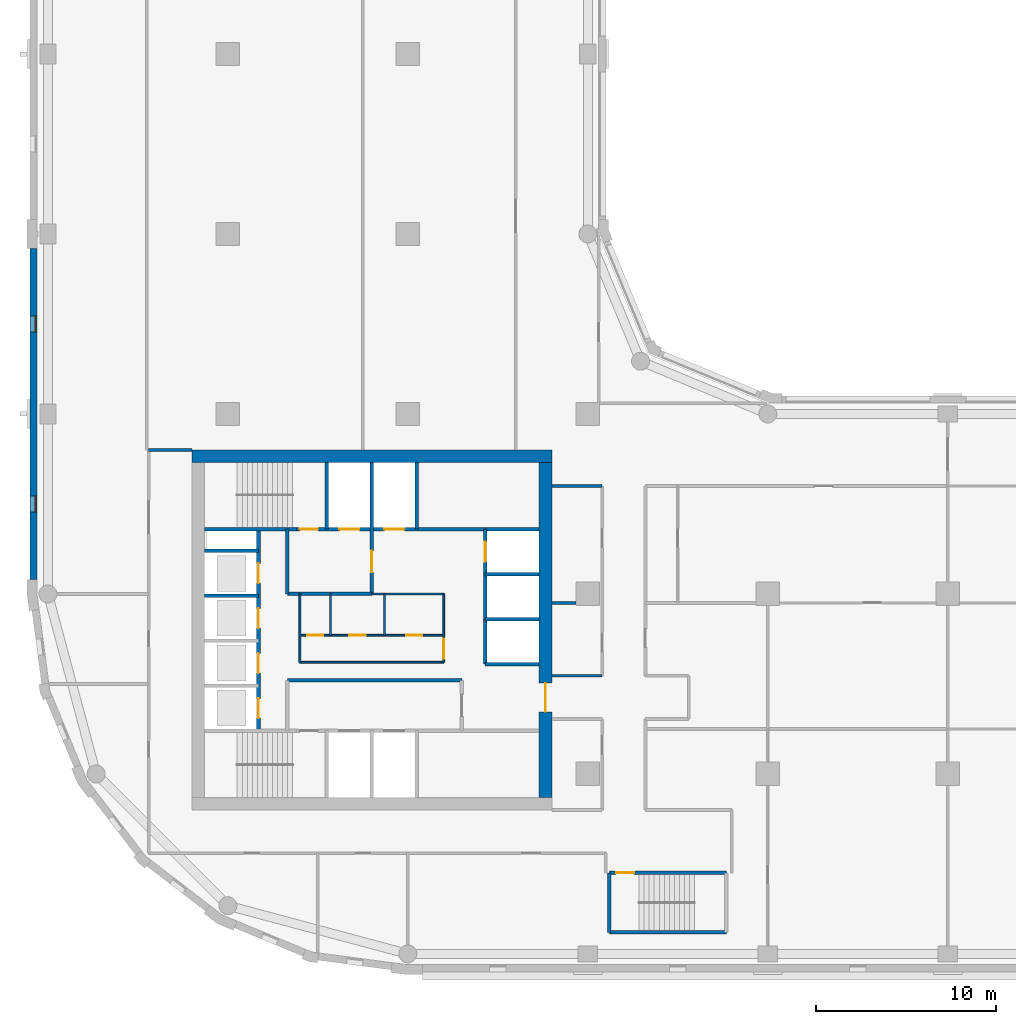
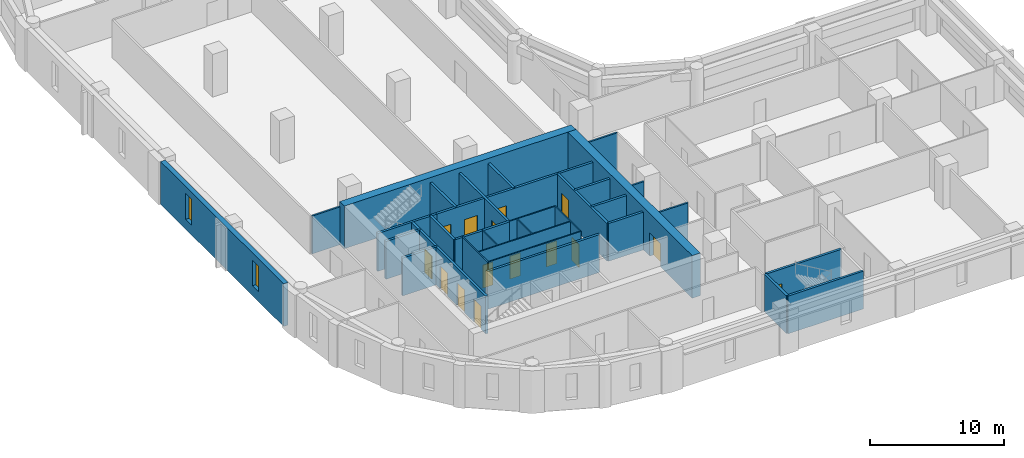
# One storey, part 3 of 9: 32 walls, 15 doors, 2 windows, 17 openings.
"""IFC4 building model written with IfcOpenShell, lengths in metres."""

from ifc_helpers import new_model, si_unit, direction, frame, frame_2d, origin, place, context, subcontext, project, spatial, rectangle, extrude, material, layer, layer_set, type_object, element, fill, save


model = new_model("IFC4")

# Units and contexts
model_context = context("Model", 3, precision=1e-05, world=origin(), true_north=direction((0.0, 1.0)))
body_context = subcontext(model_context, "Body", "Model", "MODEL_VIEW")
ifc_project = project(units=[si_unit("LENGTHUNIT", "METRE"), si_unit("AREAUNIT", "SQUARE_METRE"), si_unit("VOLUMEUNIT", "CUBIC_METRE"), si_unit("PLANEANGLEUNIT", "RADIAN"), si_unit("MASSUNIT", "GRAM", prefix="KILO")], contexts=[model_context])

# Site, building, storey
site_placement = place(None, origin())
site = spatial("IfcSite", under=ifc_project, at=site_placement, CompositionType="ELEMENT")
building_placement = place(site_placement, origin())
building = spatial("IfcBuilding", under=site, at=building_placement, Name="Qaws Garden Tower", CompositionType="ELEMENT")
storey_placement = place(building_placement, frame((0.0, 0.0, 233.10009765625)))
storey = spatial("IfcBuildingStorey", under=building, at=storey_placement, Name="L57", CompositionType="ELEMENT", Elevation=233.10009765625)

# Wall, openings, windows
ifc_material_1 = material(Name="Buff clay facing brick masonry", Category="masonry")
ifc_layer_1 = layer(ifc_material_1, 0.39990234375)
ifc_layer_set_1 = layer_set([ifc_layer_1], Name="Buff clay facing brick masonry")
wall_type_1 = type_object("IfcWallType", Name="Buff brick infill wall 400", PredefinedType="SOLIDWALL", material=ifc_layer_set_1)
wall_1_placement = place(storey_placement, frame((-0.800048828125, 39.199951171875, 0.0), z_axis=(0.0, 0.0, 1.0), x_axis=(0.0, -1.0, 0.0)))
wall_1 = element("IfcWall", 1, at=wall_1_placement, inside=storey, type_object=wall_type_1, Name="E-L57-infill-23", PredefinedType="SOLIDWALL", context=body_context, shape_type="SweptSolid", body=[
    extrude(rectangle(XDim=18.39990234375, YDim=0.39990234375, at=frame_2d((9.199951171875, 0.0))), origin(), (0.0, 0.0, 1.0), 3.89990234375),
])
opening_1_placement = place(wall_1_placement, frame((3.75, 0.0, 0.89990234375)))
opening_1 = element("IfcOpeningElement", 2, at=opening_1_placement, cuts=wall_1, Name="Opening W09", PredefinedType="OPENING", context=body_context, shape_type="SweptSolid", body=[
    extrude(rectangle(XDim=0.89990234375, YDim=2.35009765625, at=frame_2d((0.449951171875, 1.175048828125))), frame((0.0, 0.2099609375, 0.0), z_axis=(0.0, -1.0, 0.0), x_axis=(1.0, 0.0, 0.0)), (0.0, 0.0, 1.0), 0.419921875),
])
opening_2_placement = place(wall_1_placement, frame((13.75, 0.0, 0.89990234375)))
opening_2 = element("IfcOpeningElement", 3, at=opening_2_placement, cuts=wall_1, Name="Opening W09", PredefinedType="OPENING", context=body_context, shape_type="SweptSolid", body=[
    extrude(rectangle(XDim=0.89990234375, YDim=2.35009765625, at=frame_2d((0.449951171875, 1.175048828125))), frame((0.0, 0.2099609375, 0.0), z_axis=(0.0, -1.0, 0.0), x_axis=(1.0, 0.0, 0.0)), (0.0, 0.0, 1.0), 0.419921875),
])
ifc_material_2 = material(Name="Aluminium framed window, clear glazing", Category="aluminium")
window_type = type_object("IfcWindowType", Name="Slit window 900 x 2350", PartitioningType="SINGLE_PANEL", PredefinedType="WINDOW", material=ifc_material_2)
window_1_placement = place(opening_1_placement, origin())
window_1 = element("IfcWindow", 4, at=window_1_placement, inside=storey, type_object=window_type, Name="E-L57-window-23-0", OverallHeight=2.35009765625, OverallWidth=0.89990234375, PartitioningType="SINGLE_PANEL", PredefinedType="WINDOW", context=body_context, shape_type="SweptSolid", body=[
    extrude(rectangle(XDim=0.89990234375, YDim=2.35009765625, at=frame_2d((0.449951171875, 1.175048828125))), frame((0.0, 0.159912109375, 0.0), z_axis=(0.0, -1.0, 0.0), x_axis=(1.0, 0.0, 0.0)), (0.0, 0.0, 1.0), 0.06005859375),
])
fill(opening_1, window_1)
window_2_placement = place(opening_2_placement, origin())
window_2 = element("IfcWindow", 5, at=window_2_placement, inside=storey, type_object=window_type, Name="E-L57-window-24-0", OverallHeight=2.35009765625, OverallWidth=0.89990234375, PartitioningType="SINGLE_PANEL", PredefinedType="WINDOW", context=body_context, shape_type="SweptSolid", body=[
    extrude(rectangle(XDim=0.89990234375, YDim=2.35009765625, at=frame_2d((0.449951171875, 1.175048828125))), frame((0.0, 0.159912109375, 0.0), z_axis=(0.0, -1.0, 0.0), x_axis=(1.0, 0.0, 0.0)), (0.0, 0.0, 1.0), 0.06005859375),
])
fill(opening_2, window_2)

# Wall
ifc_material_3 = material(Name="Plasterboard")
ifc_layer_2 = layer(ifc_material_3, 0.10009765625)
ifc_layer_set_2 = layer_set([ifc_layer_2], Name="Plasterboard")
wall_type_2 = type_object("IfcWallType", Name="Core partition 100", PredefinedType="PARTITIONING", material=ifc_layer_set_2)
wall_2_placement = place(storey_placement, frame((14.0, 16.199951171875, 0.0), z_axis=(0.0, 0.0, 1.0), x_axis=(1.0, 0.0, 0.0)))
element("IfcWall", 6, at=wall_2_placement, inside=storey, type_object=wall_type_2, Name="Core partition", PredefinedType="PARTITIONING", context=body_context, shape_type="SweptSolid", body=[
    extrude(rectangle(XDim=8.0, YDim=0.10009765625, at=frame_2d((4.0, 0.0))), origin(), (0.0, 0.0, 1.0), 3.449951171875),
])

# Wall, openings, doors
wall_3_placement = place(storey_placement, frame((14.0, 17.699951171875, 0.0), z_axis=(0.0, 0.0, 1.0), x_axis=(1.0, 0.0, 0.0)))
wall_3 = element("IfcWall", 7, at=wall_3_placement, inside=storey, type_object=wall_type_2, Name="Core partition", PredefinedType="PARTITIONING", context=body_context, shape_type="SweptSolid", body=[
    extrude(rectangle(XDim=8.0, YDim=0.10009765625, at=frame_2d((4.0, 0.0))), origin(), (0.0, 0.0, 1.0), 3.449951171875),
])
opening_3_placement = place(wall_3_placement, frame((0.39990234375, 0.0, 0.0)))
opening_3 = element("IfcOpeningElement", 8, at=opening_3_placement, cuts=wall_3, Name="Opening WD18", PredefinedType="OPENING", context=body_context, shape_type="SweptSolid", body=[
    extrude(rectangle(XDim=0.89990234375, YDim=2.10009765625, at=frame_2d((0.449951171875, 1.050048828125))), frame((0.0, 0.06005859375, 0.0), z_axis=(0.0, -1.0, 0.0), x_axis=(1.0, 0.0, 0.0)), (0.0, 0.0, 1.0), 0.1201171875),
])
opening_4_placement = place(wall_3_placement, frame((2.75, 0.0, 0.0)))
opening_4 = element("IfcOpeningElement", 9, at=opening_4_placement, cuts=wall_3, Name="Opening WD19", PredefinedType="OPENING", context=body_context, shape_type="SweptSolid", body=[
    extrude(rectangle(XDim=0.89990234375, YDim=2.10009765625, at=frame_2d((0.449951171875, 1.050048828125))), frame((0.0, 0.06005859375, 0.0), z_axis=(0.0, -1.0, 0.0), x_axis=(1.0, 0.0, 0.0)), (0.0, 0.0, 1.0), 0.1201171875),
])
opening_5_placement = place(wall_3_placement, frame((5.89990234375, 0.0, 0.0)))
opening_5 = element("IfcOpeningElement", 10, at=opening_5_placement, cuts=wall_3, Name="Opening WD20", PredefinedType="OPENING", context=body_context, shape_type="SweptSolid", body=[
    extrude(rectangle(XDim=0.89990234375, YDim=2.10009765625, at=frame_2d((0.449951171875, 1.050048828125))), frame((0.0, 0.06005859375, 0.0), z_axis=(0.0, -1.0, 0.0), x_axis=(1.0, 0.0, 0.0)), (0.0, 0.0, 1.0), 0.1201171875),
])
ifc_material_4 = material(Name="Timber", Category="wood")
door_type_1 = type_object("IfcDoorType", Name="WC door 900x2100", OperationType="SINGLE_SWING_LEFT", PredefinedType="DOOR", material=ifc_material_4)
door_1_placement = place(opening_3_placement, origin())
door_1 = element("IfcDoor", 11, at=door_1_placement, inside=storey, type_object=door_type_1, Name="Accessible WC door", OperationType="SINGLE_SWING_RIGHT", OverallHeight=2.10009765625, OverallWidth=0.89990234375, PredefinedType="DOOR", context=body_context, shape_type="SweptSolid", body=[
    extrude(rectangle(XDim=0.89990234375, YDim=2.10009765625, at=frame_2d((0.449951171875, 1.050048828125))), frame((0.0, 0.02490234375, 0.0), z_axis=(0.0, -1.0, 0.0), x_axis=(1.0, 0.0, 0.0)), (0.0, 0.0, 1.0), 0.050048828125),
])
fill(opening_3, door_1)
door_2_placement = place(opening_4_placement, origin())
door_2 = element("IfcDoor", 12, at=door_2_placement, inside=storey, type_object=door_type_1, Name="Men's WC door", OperationType="SINGLE_SWING_RIGHT", OverallHeight=2.10009765625, OverallWidth=0.89990234375, PredefinedType="DOOR", context=body_context, shape_type="SweptSolid", body=[
    extrude(rectangle(XDim=0.89990234375, YDim=2.10009765625, at=frame_2d((0.449951171875, 1.050048828125))), frame((0.0, 0.02490234375, 0.0), z_axis=(0.0, -1.0, 0.0), x_axis=(1.0, 0.0, 0.0)), (0.0, 0.0, 1.0), 0.050048828125),
])
fill(opening_4, door_2)
door_3_placement = place(opening_5_placement, origin())
door_3 = element("IfcDoor", 13, at=door_3_placement, inside=storey, type_object=door_type_1, Name="Women's WC door", OperationType="SINGLE_SWING_RIGHT", OverallHeight=2.10009765625, OverallWidth=0.89990234375, PredefinedType="DOOR", context=body_context, shape_type="SweptSolid", body=[
    extrude(rectangle(XDim=0.89990234375, YDim=2.10009765625, at=frame_2d((0.449951171875, 1.050048828125))), frame((0.0, 0.02490234375, 0.0), z_axis=(0.0, -1.0, 0.0), x_axis=(1.0, 0.0, 0.0)), (0.0, 0.0, 1.0), 0.050048828125),
])
fill(opening_5, door_3)

# Walls
wall_4_placement = place(storey_placement, frame((18.0, 20.0, 0.0), z_axis=(0.0, 0.0, 1.0), x_axis=(1.0, 0.0, 0.0)))
element("IfcWall", 14, at=wall_4_placement, inside=storey, type_object=wall_type_2, Name="Core partition", PredefinedType="PARTITIONING", context=body_context, shape_type="SweptSolid", body=[
    extrude(rectangle(XDim=4.0, YDim=0.10009765625, at=frame_2d((2.0, 0.0))), origin(), (0.0, 0.0, 1.0), 3.449951171875),
])
wall_5_placement = place(storey_placement, frame((14.0, 16.199951171875, 0.0), z_axis=(0.0, 0.0, 1.0), x_axis=(0.0, 1.0, 0.0)))
element("IfcWall", 15, at=wall_5_placement, inside=storey, type_object=wall_type_2, Name="Core partition", PredefinedType="PARTITIONING", context=body_context, shape_type="SweptSolid", body=[
    extrude(rectangle(XDim=3.800048828125, YDim=0.10009765625, at=frame_2d((1.89990234375, 0.0))), origin(), (0.0, 0.0, 1.0), 3.449951171875),
])
for number, where, z_axis, x_axis, name in (
    (16, (15.699951171875, 17.699951171875, 0.0), (0.0, 0.0, 1.0), (0.0, 1.0, 0.0), "Core partition"),
    (17, (18.699951171875, 17.699951171875, 0.0), (0.0, 0.0, 1.0), (0.0, 1.0, 0.0), "Core partition"),
):
    element("IfcWall", number, at=place(storey_placement, frame(where, z_axis=z_axis, x_axis=x_axis)), inside=storey, type_object=wall_type_2, Name=name, PredefinedType="PARTITIONING", context=body_context, shape_type="SweptSolid", body=[
        extrude(rectangle(XDim=2.300048828125, YDim=0.10009765625, at=frame_2d((1.14990234375, 0.0))), origin(), (0.0, 0.0, 1.0), 3.449951171875),
    ])

# Wall, opening, door
wall_6_placement = place(storey_placement, frame((22.0, 16.199951171875, 0.0), z_axis=(0.0, 0.0, 1.0), x_axis=(0.0, 1.0, 0.0)))
wall_6 = element("IfcWall", 18, at=wall_6_placement, inside=storey, type_object=wall_type_2, Name="Core partition", PredefinedType="PARTITIONING", context=body_context, shape_type="SweptSolid", body=[
    extrude(rectangle(XDim=3.800048828125, YDim=0.10009765625, at=frame_2d((1.89990234375, 0.0))), origin(), (0.0, 0.0, 1.0), 3.449951171875),
])
opening_6_placement = place(wall_6_placement, frame((0.199951171875, 0.0, 0.0)))
opening_6 = element("IfcOpeningElement", 19, at=opening_6_placement, cuts=wall_6, Name="Opening WL17", PredefinedType="OPENING", context=body_context, shape_type="SweptSolid", body=[
    extrude(rectangle(XDim=1.10009765625, YDim=2.10009765625, at=frame_2d((0.550048828125, 1.050048828125))), frame((0.0, 0.06005859375, 0.0), z_axis=(0.0, -1.0, 0.0), x_axis=(1.0, 0.0, 0.0)), (0.0, 0.0, 1.0), 0.1201171875),
])
ifc_material_5 = material(Name="Timber", Category="wood")
door_type_2 = type_object("IfcDoorType", Name="WC lobby door 1100x2100", OperationType="SINGLE_SWING_LEFT", PredefinedType="DOOR", material=ifc_material_5)
door_4_placement = place(opening_6_placement, origin())
door_4 = element("IfcDoor", 20, at=door_4_placement, inside=storey, type_object=door_type_2, Name="WC lobby door", OperationType="SINGLE_SWING_RIGHT", OverallHeight=2.10009765625, OverallWidth=1.10009765625, PredefinedType="DOOR", context=body_context, shape_type="SweptSolid", body=[
    extrude(rectangle(XDim=1.10009765625, YDim=2.10009765625, at=frame_2d((0.550048828125, 1.050048828125))), frame((0.0, 0.02490234375, 0.0), z_axis=(0.0, -1.0, 0.0), x_axis=(1.0, 0.0, 0.0)), (0.0, 0.0, 1.0), 0.050048828125),
])
fill(opening_6, door_4)

# Wall
ifc_material_6 = material(Name="Concrete C70", Category="concrete")
ifc_layer_3 = layer(ifc_material_6, 0.199951171875)
ifc_layer_set_3 = layer_set([ifc_layer_3], Name="Concrete C70")
wall_type_3 = type_object("IfcWallType", Name="Core shaft wall 200 C70", PredefinedType="SHEAR", material=ifc_layer_set_3)
wall_7_placement = place(storey_placement, frame((31.199951171875, 1.199951171875, 0.0), z_axis=(0.0, 0.0, 1.0), x_axis=(1.0, 0.0, 0.0)))
element("IfcWall", 21, at=wall_7_placement, inside=storey, type_object=wall_type_3, Name="Shaft wall", PredefinedType="SHEAR", context=body_context, shape_type="SweptSolid", body=[
    extrude(rectangle(XDim=6.5, YDim=0.199951171875, at=frame_2d((3.25, 0.0))), origin(), (0.0, 0.0, 1.0), 3.449951171875),
])

# Wall, opening, door
wall_8_placement = place(storey_placement, frame((31.199951171875, 4.5, 0.0), z_axis=(0.0, 0.0, 1.0), x_axis=(1.0, 0.0, 0.0)))
wall_8 = element("IfcWall", 22, at=wall_8_placement, inside=storey, type_object=wall_type_3, Name="Shaft wall", PredefinedType="SHEAR", context=body_context, shape_type="SweptSolid", body=[
    extrude(rectangle(XDim=6.5, YDim=0.199951171875, at=frame_2d((3.25, 0.0))), origin(), (0.0, 0.0, 1.0), 3.449951171875),
])
opening_7_placement = place(wall_8_placement, frame((0.375, 0.0, 0.0)))
opening_7 = element("IfcOpeningElement", 23, at=opening_7_placement, cuts=wall_8, Name="Opening SD12", PredefinedType="OPENING", context=body_context, shape_type="SweptSolid", body=[
    extrude(rectangle(XDim=1.0, YDim=2.10009765625, at=frame_2d((0.5, 1.050048828125))), frame((0.0, 0.10986328125, 0.0), z_axis=(0.0, -1.0, 0.0), x_axis=(1.0, 0.0, 0.0)), (0.0, 0.0, 1.0), 0.219970703125),
])
ifc_material_7 = material(Name="Steel S235", Category="steel")
door_type_3 = type_object("IfcDoorType", Name="Stair door 1000x2100", OperationType="SINGLE_SWING_RIGHT", PredefinedType="DOOR", material=ifc_material_7)
door_5_placement = place(opening_7_placement, frame((1.0, 0.0, 0.0), z_axis=(0.0, 0.0, 1.0), x_axis=(-1.0, 0.0, 0.0)))
door_5 = element("IfcDoor", 24, at=door_5_placement, inside=storey, type_object=door_type_3, Name="Stair 5 door", OperationType="SINGLE_SWING_RIGHT", OverallHeight=2.10009765625, OverallWidth=1.0, PredefinedType="DOOR", context=body_context, shape_type="SweptSolid", body=[
    extrude(rectangle(XDim=1.0, YDim=2.10009765625, at=frame_2d((0.5, 1.050048828125))), frame((0.0, 0.02490234375, 0.0), z_axis=(0.0, -1.0, 0.0), x_axis=(1.0, 0.0, 0.0)), (0.0, 0.0, 1.0), 0.050048828125),
])
fill(opening_7, door_5)

# Walls
wall_9_placement = place(storey_placement, frame((13.300048828125, 15.199951171875, 0.0), z_axis=(0.0, 0.0, 1.0), x_axis=(1.0, 0.0, 0.0)))
element("IfcWall", 25, at=wall_9_placement, inside=storey, type_object=wall_type_3, Name="Shaft wall", PredefinedType="SHEAR", context=body_context, shape_type="SweptSolid", body=[
    extrude(rectangle(XDim=9.699951171875, YDim=0.199951171875, at=frame_2d((4.85009765625, 0.0))), origin(), (0.0, 0.0, 1.0), 3.449951171875),
])
for number, where, z_axis, x_axis, name in (
    (26, (24.300048828125, 16.10009765625, 0.0), (0.0, 0.0, 1.0), (1.0, 0.0, 0.0), "Shaft wall"),
    (27, (24.300048828125, 18.60009765625, 0.0), (0.0, 0.0, 1.0), (1.0, 0.0, 0.0), "Shaft wall"),
    (28, (8.699951171875, 19.89990234375, 0.0), (0.0, 0.0, 1.0), (1.0, 0.0, 0.0), "Shaft wall"),
):
    element("IfcWall", number, at=place(storey_placement, frame(where, z_axis=z_axis, x_axis=x_axis)), inside=storey, type_object=wall_type_3, Name=name, PredefinedType="SHEAR", context=body_context, shape_type="SweptSolid", body=[
        extrude(rectangle(XDim=3.0, YDim=0.199951171875, at=frame_2d((1.5, 0.0))), origin(), (0.0, 0.0, 1.0), 3.449951171875),
    ])
wall_10_placement = place(storey_placement, frame((13.300048828125, 20.0, 0.0), z_axis=(0.0, 0.0, 1.0), x_axis=(1.0, 0.0, 0.0)))
element("IfcWall", 29, at=wall_10_placement, inside=storey, type_object=wall_type_3, Name="Shaft wall", PredefinedType="SHEAR", context=body_context, shape_type="SweptSolid", body=[
    extrude(rectangle(XDim=4.699951171875, YDim=0.199951171875, at=frame_2d((2.35009765625, 0.0))), origin(), (0.0, 0.0, 1.0), 3.449951171875),
])
for number, where, z_axis, x_axis, name in (
    (30, (24.300048828125, 21.10009765625, 0.0), (0.0, 0.0, 1.0), (1.0, 0.0, 0.0), "Shaft wall"),
    (31, (8.699951171875, 22.39990234375, 0.0), (0.0, 0.0, 1.0), (1.0, 0.0, 0.0), "Shaft wall"),
):
    element("IfcWall", number, at=place(storey_placement, frame(where, z_axis=z_axis, x_axis=x_axis)), inside=storey, type_object=wall_type_3, Name=name, PredefinedType="SHEAR", context=body_context, shape_type="SweptSolid", body=[
        extrude(rectangle(XDim=3.0, YDim=0.199951171875, at=frame_2d((1.5, 0.0))), origin(), (0.0, 0.0, 1.0), 3.449951171875),
    ])
wall_11_placement = place(storey_placement, frame((8.699951171875, 23.60009765625, 0.0), z_axis=(0.0, 0.0, 1.0), x_axis=(1.0, 0.0, 0.0)))
element("IfcWall", 32, at=wall_11_placement, inside=storey, type_object=wall_type_3, Name="Shaft wall", PredefinedType="SHEAR", context=body_context, shape_type="SweptSolid", body=[
    extrude(rectangle(XDim=5.10009765625, YDim=0.199951171875, at=frame_2d((2.550048828125, 0.0))), origin(), (0.0, 0.0, 1.0), 3.449951171875),
])

# Wall, openings, doors
wall_12_placement = place(storey_placement, frame((13.800048828125, 23.60009765625, 0.0), z_axis=(0.0, 0.0, 1.0), x_axis=(1.0, 0.0, 0.0)))
wall_12 = element("IfcWall", 33, at=wall_12_placement, inside=storey, type_object=wall_type_3, Name="Shaft wall", PredefinedType="SHEAR", context=body_context, shape_type="SweptSolid", body=[
    extrude(rectangle(XDim=13.5, YDim=0.199951171875, at=frame_2d((6.75, 0.0))), origin(), (0.0, 0.0, 1.0), 3.449951171875),
])
opening_8_placement = place(wall_12_placement, frame((2.39990234375, 0.0, 0.0)))
opening_8 = element("IfcOpeningElement", 34, at=opening_8_placement, cuts=wall_12, Name="Opening LD08", PredefinedType="OPENING", context=body_context, shape_type="SweptSolid", body=[
    extrude(rectangle(XDim=1.10009765625, YDim=2.10009765625, at=frame_2d((0.550048828125, 1.050048828125))), frame((0.0, 0.10986328125, 0.0), z_axis=(0.0, -1.0, 0.0), x_axis=(1.0, 0.0, 0.0)), (0.0, 0.0, 1.0), 0.219970703125),
])
opening_9_placement = place(wall_12_placement, frame((4.89990234375, 0.0, 0.0)))
opening_9 = element("IfcOpeningElement", 35, at=opening_9_placement, cuts=wall_12, Name="Opening LD09", PredefinedType="OPENING", context=body_context, shape_type="SweptSolid", body=[
    extrude(rectangle(XDim=1.10009765625, YDim=2.10009765625, at=frame_2d((0.550048828125, 1.050048828125))), frame((0.0, 0.10986328125, 0.0), z_axis=(0.0, -1.0, 0.0), x_axis=(1.0, 0.0, 0.0)), (0.0, 0.0, 1.0), 0.219970703125),
])
opening_10_placement = place(wall_12_placement, frame((0.199951171875, 0.0, 0.0)))
opening_10 = element("IfcOpeningElement", 36, at=opening_10_placement, cuts=wall_12, Name="Opening SD11", PredefinedType="OPENING", context=body_context, shape_type="SweptSolid", body=[
    extrude(rectangle(XDim=1.0, YDim=2.10009765625, at=frame_2d((0.5, 1.050048828125))), frame((0.0, 0.10986328125, 0.0), z_axis=(0.0, -1.0, 0.0), x_axis=(1.0, 0.0, 0.0)), (0.0, 0.0, 1.0), 0.219970703125),
])
ifc_material_8 = material(Name="Steel S235", Category="steel")
door_type_4 = type_object("IfcDoorType", Name="Landing door 1100x2100", OperationType="DOUBLE_DOOR_SLIDING", PredefinedType="DOOR", material=ifc_material_8)
door_6_placement = place(opening_8_placement, origin())
door_6 = element("IfcDoor", 37, at=door_6_placement, inside=storey, type_object=door_type_4, Name="Lift FF3 landing door", OperationType="DOUBLE_DOOR_SLIDING", OverallHeight=2.10009765625, OverallWidth=1.10009765625, PredefinedType="DOOR", context=body_context, shape_type="SweptSolid", body=[
    extrude(rectangle(XDim=1.10009765625, YDim=2.10009765625, at=frame_2d((0.550048828125, 1.050048828125))), frame((0.0, 0.02490234375, 0.0), z_axis=(0.0, -1.0, 0.0), x_axis=(1.0, 0.0, 0.0)), (0.0, 0.0, 1.0), 0.050048828125),
])
fill(opening_8, door_6)
door_7_placement = place(opening_9_placement, origin())
door_7 = element("IfcDoor", 38, at=door_7_placement, inside=storey, type_object=door_type_4, Name="Lift SV2 landing door", OperationType="DOUBLE_DOOR_SLIDING", OverallHeight=2.10009765625, OverallWidth=1.10009765625, PredefinedType="DOOR", context=body_context, shape_type="SweptSolid", body=[
    extrude(rectangle(XDim=1.10009765625, YDim=2.10009765625, at=frame_2d((0.550048828125, 1.050048828125))), frame((0.0, 0.02490234375, 0.0), z_axis=(0.0, -1.0, 0.0), x_axis=(1.0, 0.0, 0.0)), (0.0, 0.0, 1.0), 0.050048828125),
])
fill(opening_9, door_7)
door_8_placement = place(opening_10_placement, origin())
door_8 = element("IfcDoor", 39, at=door_8_placement, inside=storey, type_object=door_type_3, Name="Stair 4 door", OperationType="SINGLE_SWING_RIGHT", OverallHeight=2.10009765625, OverallWidth=1.0, PredefinedType="DOOR", context=body_context, shape_type="SweptSolid", body=[
    extrude(rectangle(XDim=1.0, YDim=2.10009765625, at=frame_2d((0.5, 1.050048828125))), frame((0.0, 0.02490234375, 0.0), z_axis=(0.0, -1.0, 0.0), x_axis=(1.0, 0.0, 0.0)), (0.0, 0.0, 1.0), 0.050048828125),
])
fill(opening_10, door_8)

wall_13_placement = place(storey_placement, frame((11.699951171875, 12.39990234375, 0.0), z_axis=(0.0, 0.0, 1.0), x_axis=(0.0, 1.0, 0.0)))
wall_13 = element("IfcWall", 40, at=wall_13_placement, inside=storey, type_object=wall_type_3, Name="Shaft wall", PredefinedType="SHEAR", context=body_context, shape_type="SweptSolid", body=[
    extrude(rectangle(XDim=11.2001953125, YDim=0.199951171875, at=frame_2d((5.60009765625, 0.0))), origin(), (0.0, 0.0, 1.0), 3.449951171875),
])
opening_11_placement = place(wall_13_placement, frame((0.699951171875, 0.0, 0.0)))
opening_11 = element("IfcOpeningElement", 41, at=opening_11_placement, cuts=wall_13, Name="Opening LD01", PredefinedType="OPENING", context=body_context, shape_type="SweptSolid", body=[
    extrude(rectangle(XDim=1.10009765625, YDim=2.10009765625, at=frame_2d((0.550048828125, 1.050048828125))), frame((0.0, 0.10986328125, 0.0), z_axis=(0.0, -1.0, 0.0), x_axis=(1.0, 0.0, 0.0)), (0.0, 0.0, 1.0), 0.219970703125),
])
opening_12_placement = place(wall_13_placement, frame((3.199951171875, 0.0, 0.0)))
opening_12 = element("IfcOpeningElement", 42, at=opening_12_placement, cuts=wall_13, Name="Opening LD02", PredefinedType="OPENING", context=body_context, shape_type="SweptSolid", body=[
    extrude(rectangle(XDim=1.10009765625, YDim=2.10009765625, at=frame_2d((0.550048828125, 1.050048828125))), frame((0.0, 0.10986328125, 0.0), z_axis=(0.0, -1.0, 0.0), x_axis=(1.0, 0.0, 0.0)), (0.0, 0.0, 1.0), 0.219970703125),
])
opening_13_placement = place(wall_13_placement, frame((5.699951171875, 0.0, 0.0)))
opening_13 = element("IfcOpeningElement", 43, at=opening_13_placement, cuts=wall_13, Name="Opening LD03", PredefinedType="OPENING", context=body_context, shape_type="SweptSolid", body=[
    extrude(rectangle(XDim=1.10009765625, YDim=2.10009765625, at=frame_2d((0.550048828125, 1.050048828125))), frame((0.0, 0.10986328125, 0.0), z_axis=(0.0, -1.0, 0.0), x_axis=(1.0, 0.0, 0.0)), (0.0, 0.0, 1.0), 0.219970703125),
])
opening_14_placement = place(wall_13_placement, frame((8.199951171875, 0.0, 0.0)))
opening_14 = element("IfcOpeningElement", 44, at=opening_14_placement, cuts=wall_13, Name="Opening LD04", PredefinedType="OPENING", context=body_context, shape_type="SweptSolid", body=[
    extrude(rectangle(XDim=1.10009765625, YDim=2.10009765625, at=frame_2d((0.550048828125, 1.050048828125))), frame((0.0, 0.10986328125, 0.0), z_axis=(0.0, -1.0, 0.0), x_axis=(1.0, 0.0, 0.0)), (0.0, 0.0, 1.0), 0.219970703125),
])
door_9_placement = place(opening_11_placement, origin())
door_9 = element("IfcDoor", 45, at=door_9_placement, inside=storey, type_object=door_type_4, Name="Lift W1 landing door", OperationType="DOUBLE_DOOR_SLIDING", OverallHeight=2.10009765625, OverallWidth=1.10009765625, PredefinedType="DOOR", context=body_context, shape_type="SweptSolid", body=[
    extrude(rectangle(XDim=1.10009765625, YDim=2.10009765625, at=frame_2d((0.550048828125, 1.050048828125))), frame((0.0, 0.02490234375, 0.0), z_axis=(0.0, -1.0, 0.0), x_axis=(1.0, 0.0, 0.0)), (0.0, 0.0, 1.0), 0.050048828125),
])
fill(opening_11, door_9)
door_10_placement = place(opening_12_placement, origin())
door_10 = element("IfcDoor", 46, at=door_10_placement, inside=storey, type_object=door_type_4, Name="Lift W2 landing door", OperationType="DOUBLE_DOOR_SLIDING", OverallHeight=2.10009765625, OverallWidth=1.10009765625, PredefinedType="DOOR", context=body_context, shape_type="SweptSolid", body=[
    extrude(rectangle(XDim=1.10009765625, YDim=2.10009765625, at=frame_2d((0.550048828125, 1.050048828125))), frame((0.0, 0.02490234375, 0.0), z_axis=(0.0, -1.0, 0.0), x_axis=(1.0, 0.0, 0.0)), (0.0, 0.0, 1.0), 0.050048828125),
])
fill(opening_12, door_10)
door_11_placement = place(opening_13_placement, origin())
door_11 = element("IfcDoor", 47, at=door_11_placement, inside=storey, type_object=door_type_4, Name="Lift W3 landing door", OperationType="DOUBLE_DOOR_SLIDING", OverallHeight=2.10009765625, OverallWidth=1.10009765625, PredefinedType="DOOR", context=body_context, shape_type="SweptSolid", body=[
    extrude(rectangle(XDim=1.10009765625, YDim=2.10009765625, at=frame_2d((0.550048828125, 1.050048828125))), frame((0.0, 0.02490234375, 0.0), z_axis=(0.0, -1.0, 0.0), x_axis=(1.0, 0.0, 0.0)), (0.0, 0.0, 1.0), 0.050048828125),
])
fill(opening_13, door_11)
door_12_placement = place(opening_14_placement, origin())
door_12 = element("IfcDoor", 48, at=door_12_placement, inside=storey, type_object=door_type_4, Name="Lift W4 landing door", OperationType="DOUBLE_DOOR_SLIDING", OverallHeight=2.10009765625, OverallWidth=1.10009765625, PredefinedType="DOOR", context=body_context, shape_type="SweptSolid", body=[
    extrude(rectangle(XDim=1.10009765625, YDim=2.10009765625, at=frame_2d((0.550048828125, 1.050048828125))), frame((0.0, 0.02490234375, 0.0), z_axis=(0.0, -1.0, 0.0), x_axis=(1.0, 0.0, 0.0)), (0.0, 0.0, 1.0), 0.050048828125),
])
fill(opening_14, door_12)

# Walls
wall_14_placement = place(storey_placement, frame((13.300048828125, 20.0, 0.0), z_axis=(0.0, 0.0, 1.0), x_axis=(0.0, 1.0, 0.0)))
element("IfcWall", 49, at=wall_14_placement, inside=storey, type_object=wall_type_3, Name="Shaft wall", PredefinedType="SHEAR", context=body_context, shape_type="SweptSolid", body=[
    extrude(rectangle(XDim=3.60009765625, YDim=0.199951171875, at=frame_2d((1.800048828125, 0.0))), origin(), (0.0, 0.0, 1.0), 3.449951171875),
])
wall_15_placement = place(storey_placement, frame((15.5, 23.60009765625, 0.0), z_axis=(0.0, 0.0, 1.0), x_axis=(0.0, 1.0, 0.0)))
element("IfcWall", 50, at=wall_15_placement, inside=storey, type_object=wall_type_3, Name="Shaft wall", PredefinedType="SHEAR", context=body_context, shape_type="SweptSolid", body=[
    extrude(rectangle(XDim=3.699951171875, YDim=0.199951171875, at=frame_2d((1.85009765625, 0.0))), origin(), (0.0, 0.0, 1.0), 3.449951171875),
])

# Wall, opening, door
wall_16_placement = place(storey_placement, frame((18.0, 20.0, 0.0), z_axis=(0.0, 0.0, 1.0), x_axis=(0.0, 1.0, 0.0)))
wall_16 = element("IfcWall", 51, at=wall_16_placement, inside=storey, type_object=wall_type_3, Name="Shaft wall", PredefinedType="SHEAR", context=body_context, shape_type="SweptSolid", body=[
    extrude(rectangle(XDim=7.300048828125, YDim=0.199951171875, at=frame_2d((3.64990234375, 0.0))), origin(), (0.0, 0.0, 1.0), 3.449951171875),
])
opening_15_placement = place(wall_16_placement, frame((1.199951171875, 0.0, 0.0)))
opening_15 = element("IfcOpeningElement", 52, at=opening_15_placement, cuts=wall_16, Name="Opening FD16", PredefinedType="OPENING", context=body_context, shape_type="SweptSolid", body=[
    extrude(rectangle(XDim=1.199951171875, YDim=2.10009765625, at=frame_2d((0.60009765625, 1.050048828125))), frame((0.0, 0.10986328125, 0.0), z_axis=(0.0, -1.0, 0.0), x_axis=(1.0, 0.0, 0.0)), (0.0, 0.0, 1.0), 0.219970703125),
])
ifc_material_9 = material(Name="Steel S235", Category="steel")
door_type_5 = type_object("IfcDoorType", Name="Lobby door 1200x2100", OperationType="DOUBLE_DOOR_SINGLE_SWING", PredefinedType="DOOR", material=ifc_material_9)
door_13_placement = place(opening_15_placement, origin())
door_13 = element("IfcDoor", 53, at=door_13_placement, inside=storey, type_object=door_type_5, Name="Fire-fighting lobby door", OperationType="DOUBLE_DOOR_SINGLE_SWING", OverallHeight=2.10009765625, OverallWidth=1.199951171875, PredefinedType="DOOR", context=body_context, shape_type="SweptSolid", body=[
    extrude(rectangle(XDim=1.199951171875, YDim=2.10009765625, at=frame_2d((0.60009765625, 1.050048828125))), frame((0.0, 0.02490234375, 0.0), z_axis=(0.0, -1.0, 0.0), x_axis=(1.0, 0.0, 0.0)), (0.0, 0.0, 1.0), 0.050048828125),
])
fill(opening_15, door_13)

# Wall
wall_17_placement = place(storey_placement, frame((20.5, 23.60009765625, 0.0), z_axis=(0.0, 0.0, 1.0), x_axis=(0.0, 1.0, 0.0)))
element("IfcWall", 54, at=wall_17_placement, inside=storey, type_object=wall_type_3, Name="Shaft wall", PredefinedType="SHEAR", context=body_context, shape_type="SweptSolid", body=[
    extrude(rectangle(XDim=3.699951171875, YDim=0.199951171875, at=frame_2d((1.85009765625, 0.0))), origin(), (0.0, 0.0, 1.0), 3.449951171875),
])

# Wall, opening, door
wall_18_placement = place(storey_placement, frame((24.300048828125, 16.10009765625, 0.0), z_axis=(0.0, 0.0, 1.0), x_axis=(0.0, 1.0, 0.0)))
wall_18 = element("IfcWall", 55, at=wall_18_placement, inside=storey, type_object=wall_type_3, Name="Shaft wall", PredefinedType="SHEAR", context=body_context, shape_type="SweptSolid", body=[
    extrude(rectangle(XDim=7.5, YDim=0.199951171875, at=frame_2d((3.75, 0.0))), origin(), (0.0, 0.0, 1.0), 3.449951171875),
])
opening_16_placement = place(wall_18_placement, frame((5.699951171875, 0.0, 0.0)))
opening_16 = element("IfcOpeningElement", 56, at=opening_16_placement, cuts=wall_18, Name="Opening LD05", PredefinedType="OPENING", context=body_context, shape_type="SweptSolid", body=[
    extrude(rectangle(XDim=1.10009765625, YDim=2.10009765625, at=frame_2d((0.550048828125, 1.050048828125))), frame((0.0, 0.10986328125, 0.0), z_axis=(0.0, -1.0, 0.0), x_axis=(1.0, 0.0, 0.0)), (0.0, 0.0, 1.0), 0.219970703125),
])
door_14_placement = place(opening_16_placement, origin())
door_14 = element("IfcDoor", 57, at=door_14_placement, inside=storey, type_object=door_type_4, Name="Lift E3 landing door", OperationType="DOUBLE_DOOR_SLIDING", OverallHeight=2.10009765625, OverallWidth=1.10009765625, PredefinedType="DOOR", context=body_context, shape_type="SweptSolid", body=[
    extrude(rectangle(XDim=1.10009765625, YDim=2.10009765625, at=frame_2d((0.550048828125, 1.050048828125))), frame((0.0, 0.02490234375, 0.0), z_axis=(0.0, -1.0, 0.0), x_axis=(1.0, 0.0, 0.0)), (0.0, 0.0, 1.0), 0.050048828125),
])
fill(opening_16, door_14)

# Wall
wall_19_placement = place(storey_placement, frame((31.199951171875, 1.199951171875, 0.0), z_axis=(0.0, 0.0, 1.0), x_axis=(0.0, 1.0, 0.0)))
element("IfcWall", 58, at=wall_19_placement, inside=storey, type_object=wall_type_3, Name="Shaft wall", PredefinedType="SHEAR", context=body_context, shape_type="SweptSolid", body=[
    extrude(rectangle(XDim=3.300048828125, YDim=0.199951171875, at=frame_2d((1.64990234375, 0.0))), origin(), (0.0, 0.0, 1.0), 3.449951171875),
])

# Wall, opening, door
ifc_material_10 = material(Name="Concrete C70", Category="concrete")
ifc_layer_4 = layer(ifc_material_10, 0.699951171875)
ifc_layer_set_4 = layer_set([ifc_layer_4], Name="Concrete C70")
wall_type_4 = type_object("IfcWallType", Name="Core wall 700 C70", PredefinedType="SHEAR", material=ifc_layer_set_4)
wall_20_placement = place(storey_placement, frame((27.64990234375, 8.699951171875, 0.0), z_axis=(0.0, 0.0, 1.0), x_axis=(0.0, 1.0, 0.0)))
wall_20 = element("IfcWall", 59, at=wall_20_placement, inside=storey, type_object=wall_type_4, Name="Core wall L57 east", PredefinedType="SHEAR", context=body_context, shape_type="SweptSolid", body=[
    extrude(rectangle(XDim=18.60009765625, YDim=0.699951171875, at=frame_2d((9.300048828125, 0.0))), origin(), (0.0, 0.0, 1.0), 3.89990234375),
])
opening_17_placement = place(wall_20_placement, frame((4.75, 0.0, 0.0)))
opening_17 = element("IfcOpeningElement", 60, at=opening_17_placement, cuts=wall_20, Name="Opening ED21", PredefinedType="OPENING", context=body_context, shape_type="SweptSolid", body=[
    extrude(rectangle(XDim=1.60009765625, YDim=2.10009765625, at=frame_2d((0.800048828125, 1.050048828125))), frame((0.0, 0.35986328125, 0.0), z_axis=(0.0, -1.0, 0.0), x_axis=(1.0, 0.0, 0.0)), (0.0, 0.0, 1.0), 0.719970703125),
])
ifc_material_11 = material(Name="Steel S235", Category="steel")
door_type_6 = type_object("IfcDoorType", Name="Core entrance door 1600x2100", OperationType="DOUBLE_DOOR_SINGLE_SWING", PredefinedType="DOOR", material=ifc_material_11)
door_15_placement = place(opening_17_placement, origin())
door_15 = element("IfcDoor", 61, at=door_15_placement, inside=storey, type_object=door_type_6, Name="Core entrance door", OperationType="DOUBLE_DOOR_SINGLE_SWING", OverallHeight=2.10009765625, OverallWidth=1.60009765625, PredefinedType="DOOR", context=body_context, shape_type="SweptSolid", body=[
    extrude(rectangle(XDim=1.60009765625, YDim=2.10009765625, at=frame_2d((0.800048828125, 1.050048828125))), frame((0.0, 0.02490234375, 0.0), z_axis=(0.0, -1.0, 0.0), x_axis=(1.0, 0.0, 0.0)), (0.0, 0.0, 1.0), 0.050048828125),
])
fill(opening_17, door_15)

# Walls
wall_21_placement = place(storey_placement, frame((28.0, 27.64990234375, 0.0), z_axis=(0.0, 0.0, 1.0), x_axis=(-1.0, 0.0, 0.0)))
element("IfcWall", 62, at=wall_21_placement, inside=storey, type_object=wall_type_4, Name="Core wall L57 north", PredefinedType="SHEAR", context=body_context, shape_type="SweptSolid", body=[
    extrude(rectangle(XDim=20.0, YDim=0.699951171875, at=frame_2d((10.0, 0.0))), origin(), (0.0, 0.0, 1.0), 3.89990234375),
])
ifc_material_12 = material(Name="Gypsum board partition")
ifc_layer_5 = layer(ifc_material_12, 0.14990234375)
ifc_layer_set_5 = layer_set([ifc_layer_5], Name="Gypsum board partition")
wall_type_5 = type_object("IfcWallType", Name="PARTITION 150 EI 60", PredefinedType="PARTITIONING", material=ifc_layer_set_5)
wall_22_placement = place(storey_placement, frame((28.0, 15.449951171875, 0.0), z_axis=(0.0, 0.0, 1.0), x_axis=(1.0, 0.0, 0.0)))
element("IfcWall", 63, at=wall_22_placement, inside=storey, type_object=wall_type_5, Name="O-L57-wall-037", PredefinedType="PARTITIONING", context=body_context, shape_type="SweptSolid", body=[
    extrude(rectangle(XDim=2.800048828125, YDim=0.14990234375, at=frame_2d((1.39990234375, 0.0))), origin(), (0.0, 0.0, 1.0), 3.449951171875),
])
wall_23_placement = place(storey_placement, frame((28.0, 19.5, 0.0), z_axis=(0.0, 0.0, 1.0), x_axis=(1.0, 0.0, 0.0)))
element("IfcWall", 64, at=wall_23_placement, inside=storey, type_object=wall_type_5, Name="O-L57-wall-039", PredefinedType="PARTITIONING", context=body_context, shape_type="SweptSolid", body=[
    extrude(rectangle(XDim=1.35009765625, YDim=0.14990234375, at=frame_2d((0.675048828125, 0.0))), origin(), (0.0, 0.0, 1.0), 3.449951171875),
])
wall_24_placement = place(storey_placement, frame((28.0, 26.0, 0.0), z_axis=(0.0, 0.0, 1.0), x_axis=(1.0, 0.0, 0.0)))
element("IfcWall", 65, at=wall_24_placement, inside=storey, type_object=wall_type_5, Name="O-L57-wall-042", PredefinedType="PARTITIONING", context=body_context, shape_type="SweptSolid", body=[
    extrude(rectangle(XDim=2.800048828125, YDim=0.14990234375, at=frame_2d((1.39990234375, 0.0))), origin(), (0.0, 0.0, 1.0), 3.449951171875),
])
wall_25_placement = place(storey_placement, frame((5.60009765625, 28.0, 0.0), z_axis=(0.0, 0.0, 1.0), x_axis=(1.0, 0.0, 0.0)))
element("IfcWall", 66, at=wall_25_placement, inside=storey, type_object=wall_type_5, Name="O-L57-wall-044", PredefinedType="PARTITIONING", context=body_context, shape_type="SweptSolid", body=[
    extrude(rectangle(XDim=2.39990234375, YDim=0.14990234375, at=frame_2d((1.199951171875, 0.0))), origin(), (0.0, 0.0, 1.0), 3.449951171875),
])

save(model, "model.ifc")
